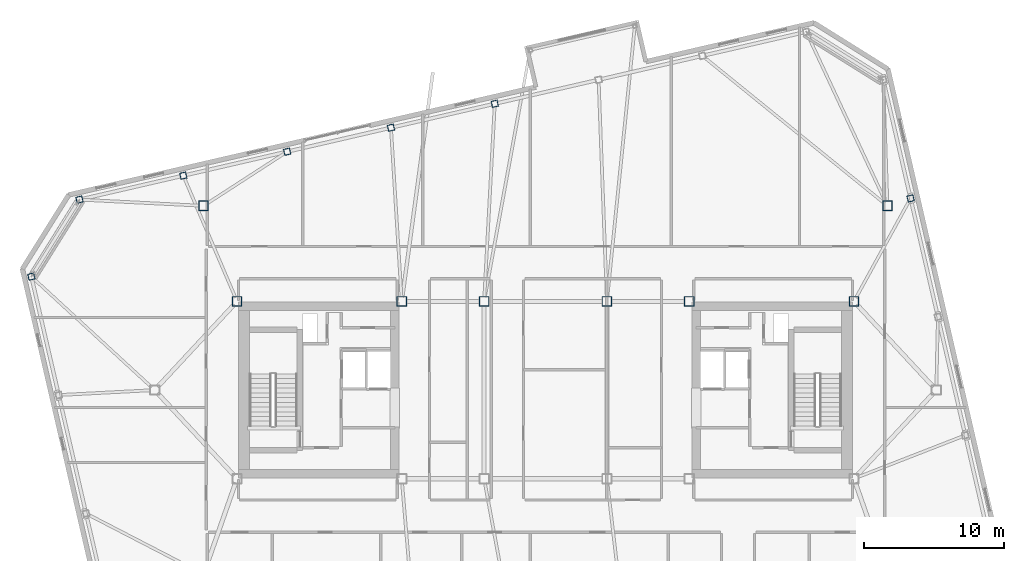
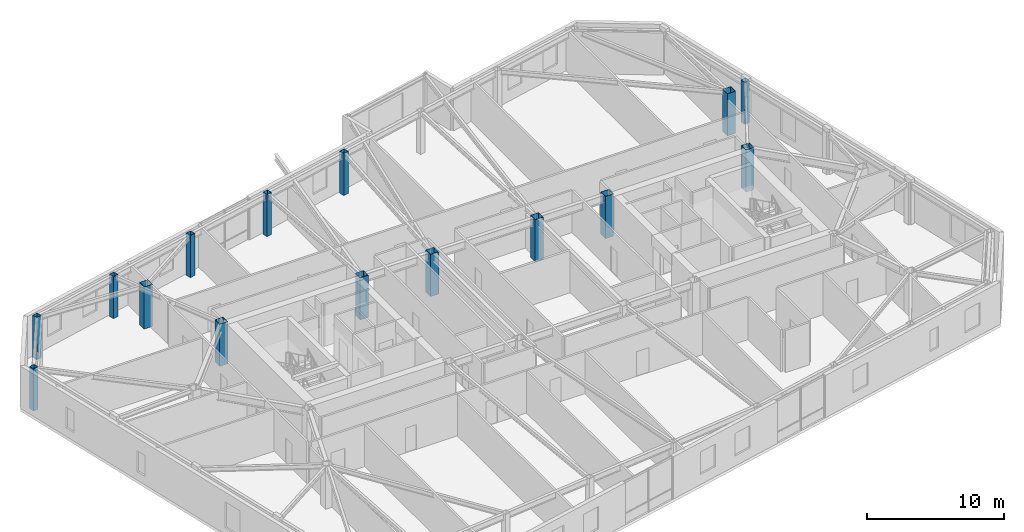
# One storey, part 2 of 22: 15 columns.
"""IFC4 building model written with IfcOpenShell, lengths in metres."""

from ifc_helpers import new_model, si_unit, direction, frame, origin, origin_2d, place, context, subcontext, project, spatial, hollow_rectangle, extrude, material, material_profile, profile_set, type_object, element, save


model = new_model("IFC4")

# Units and contexts
model_context = context("Model", 3, precision=1e-05, world=origin(), true_north=direction((0.0, 1.0)))
body_context = subcontext(model_context, "Body", "Model", "MODEL_VIEW")
ifc_project = project(units=[si_unit("LENGTHUNIT", "METRE"), si_unit("AREAUNIT", "SQUARE_METRE"), si_unit("VOLUMEUNIT", "CUBIC_METRE"), si_unit("PLANEANGLEUNIT", "RADIAN"), si_unit("MASSUNIT", "GRAM", prefix="KILO")], contexts=[model_context])

# Site, building, storey
site_placement = place(None, origin())
site = spatial("IfcSite", under=ifc_project, at=site_placement, CompositionType="ELEMENT")
building_placement = place(site_placement, origin())
building = spatial("IfcBuilding", under=site, at=building_placement, Name="Tavrogorsk Clinical Tower", CompositionType="ELEMENT")
storey_placement = place(building_placement, frame((0.0, 0.0, 317.0)))
storey = spatial("IfcBuildingStorey", under=building, at=storey_placement, Name="L74", CompositionType="ELEMENT", Elevation=317.0)

# Columns
ifc_material_1 = material(Name="Structural steel S440", Category="steel")
ifc_material_profile_1 = material_profile(ifc_material_1, hollow_rectangle(XDim=0.699951171875, YDim=0.699951171875, WallThickness=0.031982421875, at=origin_2d()), Name="BOX-700x700x32")
ifc_profile_set_1 = profile_set([ifc_material_profile_1], Name="Structural steel S440")
column_type_1 = type_object("IfcColumnType", Name="MegaCol_BOX700", PredefinedType="COLUMN", material=ifc_profile_set_1)
for number, where, z_axis, x_axis, name in (
    (1, (-22.10009765625, 6.35009765625, 0.0), (0.0, 0.0, 1.0), (1.0, 0.0, 0.0), "L74 Mega Column MC-W2"),
    (2, (-10.300048828125, 6.35009765625, 0.0), (0.0, 0.0, 1.0), (1.0, 0.0, 0.0), "L74 Mega Column MC-W4"),
    (3, (10.300048828125, 6.35009765625, 0.0), (0.0, 0.0, 1.0), (1.0, 0.0, 0.0), "L74 Mega Column MC-E2"),
    (4, (22.10009765625, 6.35009765625, 0.0), (0.0, 0.0, 1.0), (1.0, 0.0, 0.0), "L74 Mega Column MC-E4"),
    (5, (-4.39990234375, 6.35009765625, 0.0), (0.0, 0.0, 1.0), (1.0, 0.0, 0.0), "L74 Mega Column MC-C3"),
    (6, (4.39990234375, 6.35009765625, 0.0), (0.0, 0.0, 1.0), (1.0, 0.0, 0.0), "L74 Mega Column MC-C4"),
    (7, (-24.5, 13.199951171875, 0.0), (0.0, 0.0, 1.0), (1.0, 0.0, 0.0), "L74 Spine Pilotis Column MC-P3"),
    (8, (24.5, 13.199951171875, 0.0), (0.0, 0.0, 1.0), (1.0, 0.0, 0.0), "L74 Spine Pilotis Column MC-P4"),
):
    element("IfcColumn", number, at=place(storey_placement, frame(where, z_axis=z_axis, x_axis=x_axis)), inside=storey, type_object=column_type_1, Name=name, PredefinedType="COLUMN", context=body_context, shape_type="SweptSolid", body=[
        extrude(hollow_rectangle(XDim=0.699951171875, YDim=0.699951171875, WallThickness=0.031982421875, at=origin_2d()), origin(), (0.0, 0.0, 1.0), 3.739990234375),
    ])
ifc_material_2 = material(Name="Structural steel S440", Category="steel")
ifc_material_profile_2 = material_profile(ifc_material_2, hollow_rectangle(XDim=0.449951171875, YDim=0.449951171875, WallThickness=0.02197265625, at=origin_2d()), Name="BOX-450x450x22")
ifc_profile_set_2 = profile_set([ifc_material_profile_2], Name="Structural steel S440")
column_type_2 = type_object("IfcColumnType", Name="PerimCol_B5_BOX450", PredefinedType="COLUMN", material=ifc_profile_set_2)
for number, where, z_axis, x_axis, name in (
    (9, (-3.63427734375, 20.514404296875, 0.0), (0.0, 0.0, 1.0), (0.974370064785, 0.224951054344, 0.0), "L74 Perimeter Column N4"),
    (10, (-11.07275390625, 18.797119140625, 0.0), (0.0, 0.0, 1.0), (0.974370064785, 0.224951054344, 0.0), "L74 Perimeter Column N5"),
    (11, (-18.51123046875, 17.07958984375, 0.0), (0.0, 0.0, 1.0), (0.974370064785, 0.224951054344, 0.0), "L74 Perimeter Column N6"),
    (12, (-25.949951171875, 15.3623046875, 0.0), (0.0, 0.0, 1.0), (0.974370064785, 0.224951054344, 0.0), "L74 Perimeter Column N7"),
    (13, (-33.388671875, 13.64501953125, 0.0), (0.0, 0.0, 1.0), (0.974370064785, 0.224951054344, 0.0), "L74 Perimeter Column N8"),
    (14, (26.157958984375, 13.732177734375, 0.0), (0.0, 0.0, 1.0), (0.974370064785, 0.224951054344, 0.0), "L74 Perimeter Column E4"),
    (15, (-36.8359375, 8.128173828125, 0.0), (0.0, 0.0, 1.0), (0.974370064785, 0.224951054344, 0.0), "L74 Perimeter Column W1"),
):
    element("IfcColumn", number, at=place(storey_placement, frame(where, z_axis=z_axis, x_axis=x_axis)), inside=storey, type_object=column_type_2, Name=name, PredefinedType="COLUMN", context=body_context, shape_type="SweptSolid", body=[
        extrude(hollow_rectangle(XDim=0.449951171875, YDim=0.449951171875, WallThickness=0.02197265625, at=origin_2d()), origin(), (0.0, 0.0, 1.0), 3.739990234375),
    ])

save(model, "model.ifc")
